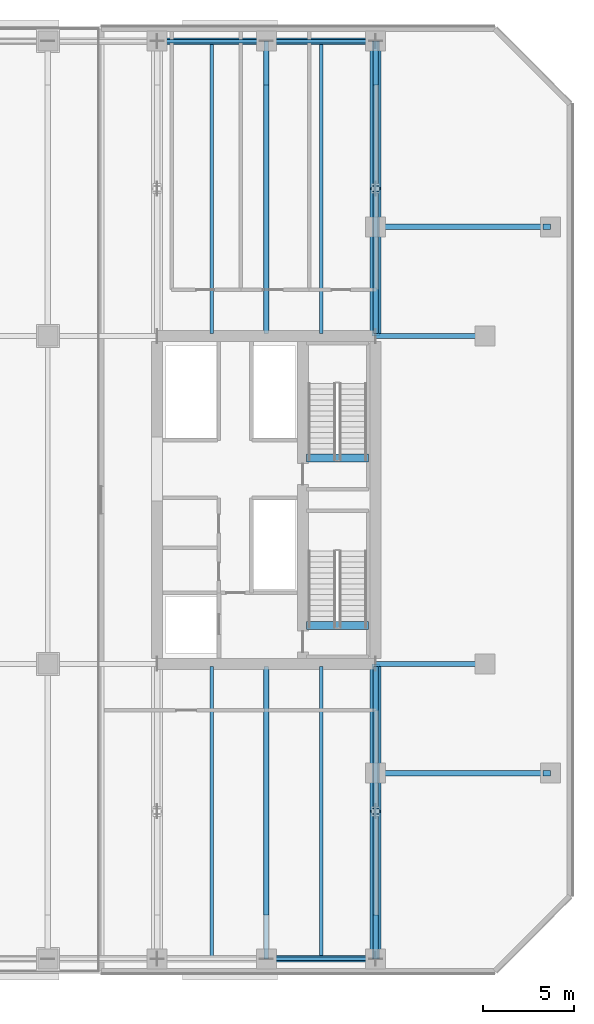
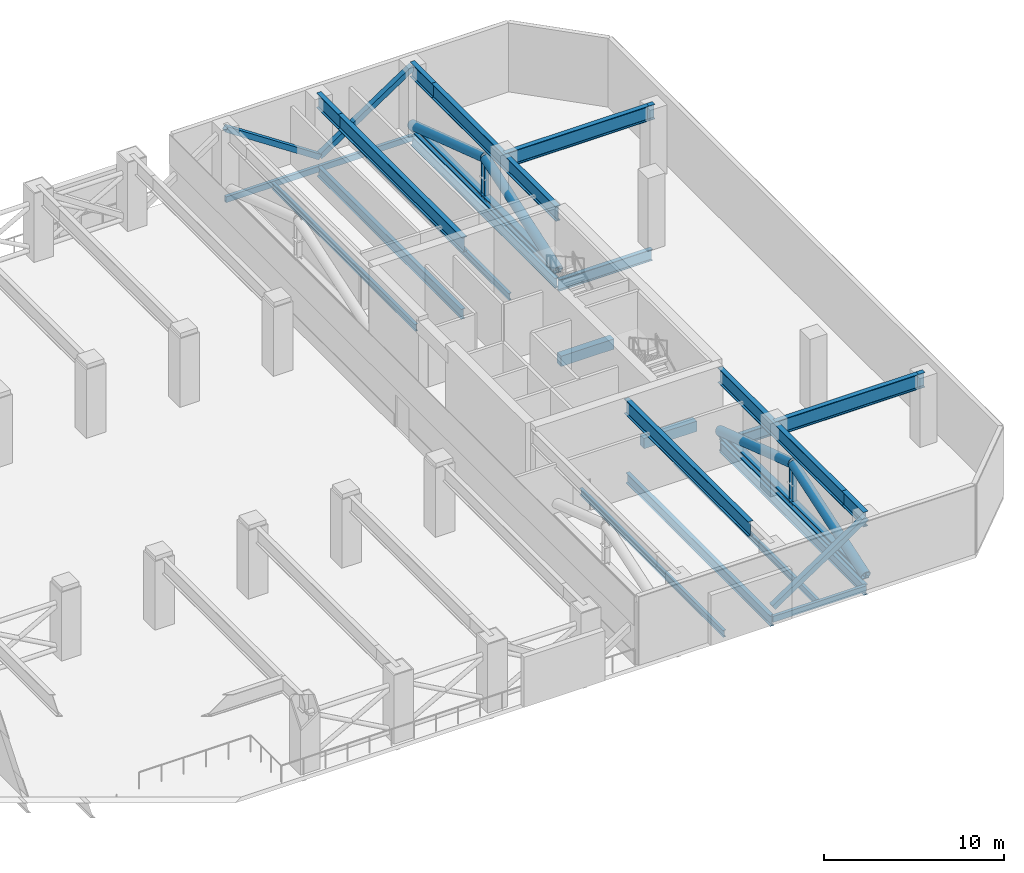
# One storey, part 6 of 22: 26 beams, 11 members.
"""IFC4 building model written with IfcOpenShell, lengths in metres."""

from ifc_helpers import new_model, si_unit, direction, frame, origin, origin_2d, place, context, subcontext, project, spatial, rectangle, hollow_rectangle, hollow_circle, i_section, extrude, material, material_profile, profile_set, type_object, element, save


model = new_model("IFC4")

# Units and contexts
model_context = context("Model", 3, precision=1e-05, world=origin(), true_north=direction((0.0, 1.0)))
body_context = subcontext(model_context, "Body", "Model", "MODEL_VIEW")
ifc_project = project(units=[si_unit("LENGTHUNIT", "METRE"), si_unit("AREAUNIT", "SQUARE_METRE"), si_unit("VOLUMEUNIT", "CUBIC_METRE"), si_unit("PLANEANGLEUNIT", "RADIAN"), si_unit("MASSUNIT", "GRAM", prefix="KILO")], contexts=[model_context])

# Site, building, storey
site_placement = place(None, origin())
site = spatial("IfcSite", under=ifc_project, at=site_placement, CompositionType="ELEMENT")
building_placement = place(site_placement, origin())
building = spatial("IfcBuilding", under=site, at=building_placement, Name="Tanjung Sevakor Pilgrim Tower", CompositionType="ELEMENT")
storey_placement = place(building_placement, frame((0.0, 0.0, 73.260009765625)))
storey = spatial("IfcBuildingStorey", under=building, at=storey_placement, Name="L20", CompositionType="ELEMENT", Elevation=73.260009765625)

# Beams
ifc_material_1 = material(Name="Steel S355J2", Category="steel")
ifc_material_profile_1 = material_profile(ifc_material_1, i_section(OverallWidth=0.26806640625, OverallDepth=0.769775390625, WebThickness=0.015625, FlangeThickness=0.025390625, FilletRadius=0.0166015625, at=origin_2d()))
ifc_profile_set_1 = profile_set([ifc_material_profile_1], Name="Steel S355J2")
beam_type_1 = type_object("IfcBeamType", Name="BM-B-G1-UB_762x267x197", PredefinedType="BEAM", material=ifc_profile_set_1)
for number, where, z_axis, x_axis, name in (
    (1, (90.0, 24.60009765625, -0.664794921875), (1.0, 0.0, 0.0), (0.0, 1.0, 0.0), "L20 Primary Floor Girder MAIN Y246-09"),
    (2, (90.0, 42.60009765625, -0.664794921875), (1.0, 0.0, 0.0), (0.0, 1.0, 0.0), "L20 Primary Floor Girder MAIN Y426-09"),
):
    element("IfcBeam", number, at=place(storey_placement, frame(where, z_axis=z_axis, x_axis=x_axis)), inside=storey, type_object=beam_type_1, Name=name, PredefinedType="BEAM", context=body_context, shape_type="SweptSolid", body=[
        extrude(i_section(OverallWidth=0.26806640625, OverallDepth=0.769775390625, WebThickness=0.015625, FlangeThickness=0.025390625, FilletRadius=0.0166015625, at=origin_2d()), origin(), (0.0, 0.0, 1.0), 6.0),
    ])
ifc_material_2 = material(Name="Steel S355J2", Category="steel")
ifc_material_profile_2 = material_profile(ifc_material_2, i_section(OverallWidth=0.25439453125, OverallDepth=0.6875, WebThickness=0.01318359375, FlangeThickness=0.02099609375, FilletRadius=0.01513671875, at=origin_2d()))
ifc_profile_set_2 = profile_set([ifc_material_profile_2], Name="Steel S355J2")
beam_type_2 = type_object("IfcBeamType", Name="BM-B-G2-UB_686x254x152", PredefinedType="BEAM", material=ifc_profile_set_2)
for number, where, z_axis, x_axis, name in (
    (3, (84.0, 8.39990234375, -0.623779296875), (0.0, 1.0, 0.0), (-1.0, 0.0, 0.0), "L20 MAIN Girder 041"),
    (4, (84.0, 42.73388671875, -0.623779296875), (0.0, 1.0, 0.0), (-1.0, 0.0, 0.0), "L20 MAIN Girder 042"),
    (5, (90.0, 8.39990234375, -0.623779296875), (0.0, 1.0, 0.0), (-1.0, 0.0, 0.0), "L20 MAIN Girder 045"),
    (6, (90.0, 42.73388671875, -0.623779296875), (0.0, 1.0, 0.0), (-1.0, 0.0, 0.0), "L20 MAIN Girder 046"),
):
    element("IfcBeam", number, at=place(storey_placement, frame(where, z_axis=z_axis, x_axis=x_axis)), inside=storey, type_object=beam_type_2, Name=name, PredefinedType="BEAM", context=body_context, shape_type="SweptSolid", body=[
        extrude(i_section(OverallWidth=0.25439453125, OverallDepth=0.6875, WebThickness=0.01318359375, FlangeThickness=0.02099609375, FilletRadius=0.01513671875, at=origin_2d()), origin(), (0.0, 0.0, 1.0), 16.066162109375),
    ])
ifc_material_3 = material(Name="Steel S460M", Category="steel")
ifc_material_profile_3 = material_profile(ifc_material_3, i_section(OverallWidth=0.302001953125, OverallDepth=1.008056640625, WebThickness=0.02099609375, FlangeThickness=0.0400390625, FilletRadius=0.030029296875, at=origin_2d()))
ifc_profile_set_3 = profile_set([ifc_material_profile_3], Name="Steel S460M")
beam_type_3 = type_object("IfcBeamType", Name="BM-B-G7-HE_1000M", PredefinedType="BEAM", material=ifc_profile_set_3)
beam_1_placement = place(storey_placement, frame((90.0, 18.60009765625, 4.166015625), z_axis=(1.0, 0.0, 0.0), x_axis=(0.0, 1.0, 0.0)))
element("IfcBeam", 7, at=beam_1_placement, inside=storey, type_object=beam_type_3, Name="L20 Short-End Setback Transfer Girder E Y18.6-1", PredefinedType="BEAM", context=body_context, shape_type="SweptSolid", body=[
    extrude(i_section(OverallWidth=0.302001953125, OverallDepth=1.008056640625, WebThickness=0.02099609375, FlangeThickness=0.0400390625, FilletRadius=0.030029296875, at=origin_2d()), origin(), (0.0, 0.0, 1.0), 9.199951171875),
])
beam_2_placement = place(storey_placement, frame((99.199951171875, 18.60009765625, 4.166015625), z_axis=(1.0, 0.0, 0.0), x_axis=(0.0, 1.0, 0.0)))
element("IfcBeam", 8, at=beam_2_placement, inside=storey, type_object=beam_type_3, Name="L20 Short-End Setback Transfer Girder E Y18.6-2", PredefinedType="BEAM", context=body_context, shape_type="SweptSolid", body=[
    extrude(i_section(OverallWidth=0.302001953125, OverallDepth=1.008056640625, WebThickness=0.02099609375, FlangeThickness=0.0400390625, FilletRadius=0.030029296875, at=origin_2d()), origin(), (0.0, 0.0, 1.0), 0.400146484375),
])
beam_3_placement = place(storey_placement, frame((90.0, 48.60009765625, 4.166015625), z_axis=(1.0, 0.0, 0.0), x_axis=(0.0, 1.0, 0.0)))
element("IfcBeam", 9, at=beam_3_placement, inside=storey, type_object=beam_type_3, Name="L20 Short-End Setback Transfer Girder E Y48.6-1", PredefinedType="BEAM", context=body_context, shape_type="SweptSolid", body=[
    extrude(i_section(OverallWidth=0.302001953125, OverallDepth=1.008056640625, WebThickness=0.02099609375, FlangeThickness=0.0400390625, FilletRadius=0.030029296875, at=origin_2d()), origin(), (0.0, 0.0, 1.0), 9.199951171875),
])
beam_4_placement = place(storey_placement, frame((99.199951171875, 48.60009765625, 4.166015625), z_axis=(1.0, 0.0, 0.0), x_axis=(0.0, 1.0, 0.0)))
element("IfcBeam", 10, at=beam_4_placement, inside=storey, type_object=beam_type_3, Name="L20 Short-End Setback Transfer Girder E Y48.6-2", PredefinedType="BEAM", context=body_context, shape_type="SweptSolid", body=[
    extrude(i_section(OverallWidth=0.302001953125, OverallDepth=1.008056640625, WebThickness=0.02099609375, FlangeThickness=0.0400390625, FilletRadius=0.030029296875, at=origin_2d()), origin(), (0.0, 0.0, 1.0), 0.400146484375),
])
beam_5_placement = place(storey_placement, frame((84.0, 10.800048828125, 4.166015625), z_axis=(0.0, 1.0, 0.0), x_axis=(-1.0, 0.0, 0.0)))
element("IfcBeam", 11, at=beam_5_placement, inside=storey, type_object=beam_type_3, Name="L20 Setback Transfer Girder South X84-2", PredefinedType="BEAM", context=body_context, shape_type="SweptSolid", body=[
    extrude(i_section(OverallWidth=0.302001953125, OverallDepth=1.008056640625, WebThickness=0.02099609375, FlangeThickness=0.0400390625, FilletRadius=0.030029296875, at=origin_2d()), origin(), (0.0, 0.0, 1.0), 13.800048828125),
])
beam_6_placement = place(storey_placement, frame((84.0, 42.60009765625, 4.166015625), z_axis=(0.0, 1.0, 0.0), x_axis=(-1.0, 0.0, 0.0)))
element("IfcBeam", 12, at=beam_6_placement, inside=storey, type_object=beam_type_3, Name="L20 Setback Transfer Girder North X84-1", PredefinedType="BEAM", context=body_context, shape_type="SweptSolid", body=[
    extrude(i_section(OverallWidth=0.302001953125, OverallDepth=1.008056640625, WebThickness=0.02099609375, FlangeThickness=0.0400390625, FilletRadius=0.030029296875, at=origin_2d()), origin(), (0.0, 0.0, 1.0), 13.7998046875),
])
for number, where, z_axis, x_axis, name in (
    (13, (84.0, 56.39990234375, 4.166015625), (0.0, 1.0, 0.0), (-1.0, 0.0, 0.0), "L20 Setback Transfer Girder North X84-2"),
    (14, (90.0, 8.39990234375, 4.166015625), (0.0, 1.0, 0.0), (-1.0, 0.0, 0.0), "L20 Setback Transfer Girder South X90-1"),
):
    element("IfcBeam", number, at=place(storey_placement, frame(where, z_axis=z_axis, x_axis=x_axis)), inside=storey, type_object=beam_type_3, Name=name, PredefinedType="BEAM", context=body_context, shape_type="SweptSolid", body=[
        extrude(i_section(OverallWidth=0.302001953125, OverallDepth=1.008056640625, WebThickness=0.02099609375, FlangeThickness=0.0400390625, FilletRadius=0.030029296875, at=origin_2d()), origin(), (0.0, 0.0, 1.0), 2.400146484375),
    ])
beam_7_placement = place(storey_placement, frame((90.0, 10.800048828125, 4.166015625), z_axis=(0.0, 1.0, 0.0), x_axis=(-1.0, 0.0, 0.0)))
element("IfcBeam", 15, at=beam_7_placement, inside=storey, type_object=beam_type_3, Name="L20 Setback Transfer Girder South X90-2", PredefinedType="BEAM", context=body_context, shape_type="SweptSolid", body=[
    extrude(i_section(OverallWidth=0.302001953125, OverallDepth=1.008056640625, WebThickness=0.02099609375, FlangeThickness=0.0400390625, FilletRadius=0.030029296875, at=origin_2d()), origin(), (0.0, 0.0, 1.0), 13.800048828125),
])
beam_8_placement = place(storey_placement, frame((90.0, 42.60009765625, 4.166015625), z_axis=(0.0, 1.0, 0.0), x_axis=(-1.0, 0.0, 0.0)))
element("IfcBeam", 16, at=beam_8_placement, inside=storey, type_object=beam_type_3, Name="L20 Setback Transfer Girder North X90-1", PredefinedType="BEAM", context=body_context, shape_type="SweptSolid", body=[
    extrude(i_section(OverallWidth=0.302001953125, OverallDepth=1.008056640625, WebThickness=0.02099609375, FlangeThickness=0.0400390625, FilletRadius=0.030029296875, at=origin_2d()), origin(), (0.0, 0.0, 1.0), 13.7998046875),
])
beam_9_placement = place(storey_placement, frame((90.0, 56.39990234375, 4.166015625), z_axis=(0.0, 1.0, 0.0), x_axis=(-1.0, 0.0, 0.0)))
element("IfcBeam", 17, at=beam_9_placement, inside=storey, type_object=beam_type_3, Name="L20 Setback Transfer Girder North X90-2", PredefinedType="BEAM", context=body_context, shape_type="SweptSolid", body=[
    extrude(i_section(OverallWidth=0.302001953125, OverallDepth=1.008056640625, WebThickness=0.02099609375, FlangeThickness=0.0400390625, FilletRadius=0.030029296875, at=origin_2d()), origin(), (0.0, 0.0, 1.0), 2.400146484375),
])
ifc_material_4 = material(Name="Steel S355J2", Category="steel")
ifc_material_profile_4 = material_profile(ifc_material_4, i_section(OverallWidth=0.19140625, OverallDepth=0.4599609375, WebThickness=0.010009765625, FlangeThickness=0.01611328125, FilletRadius=0.01025390625, at=origin_2d()))
ifc_profile_set_4 = profile_set([ifc_material_profile_4], Name="Steel S355J2")
beam_type_4 = type_object("IfcBeamType", Name="BM-B-J2-UB_457x191x82", PredefinedType="JOIST", material=ifc_profile_set_4)
for number, where, z_axis, x_axis, name in (
    (18, (81.0, 8.5, -0.510009765625), (0.0, 1.0, 0.0), (-1.0, 0.0, 0.0), "L20 MAIN Joist 039"),
    (19, (81.0, 42.73388671875, -0.510009765625), (0.0, 1.0, 0.0), (-1.0, 0.0, 0.0), "L20 MAIN Joist 040"),
    (20, (87.0, 8.5, -0.510009765625), (0.0, 1.0, 0.0), (-1.0, 0.0, 0.0), "L20 MAIN Joist 043"),
    (21, (87.0, 42.73388671875, -0.510009765625), (0.0, 1.0, 0.0), (-1.0, 0.0, 0.0), "L20 MAIN Joist 044"),
):
    element("IfcBeam", number, at=place(storey_placement, frame(where, z_axis=z_axis, x_axis=x_axis)), inside=storey, type_object=beam_type_4, Name=name, PredefinedType="JOIST", context=body_context, shape_type="SweptSolid", body=[
        extrude(i_section(OverallWidth=0.19140625, OverallDepth=0.4599609375, WebThickness=0.010009765625, FlangeThickness=0.01611328125, FilletRadius=0.01025390625, at=origin_2d()), origin(), (0.0, 0.0, 1.0), 15.966064453125),
    ])
ifc_material_5 = material(Name="Concrete C60/75", Category="concrete")
ifc_material_profile_5 = material_profile(ifc_material_5, rectangle(XDim=0.449951171875, YDim=0.699951171875, at=origin_2d()))
ifc_profile_set_5 = profile_set([ifc_material_profile_5], Name="Concrete C60/75")
beam_type_5 = type_object("IfcBeamType", Name="BM-B-LN3-RC-BM_450x700", PredefinedType="LINTEL", material=ifc_profile_set_5)
for number, where, z_axis, x_axis, name in (
    (22, (86.199951171875, 26.699951171875, -0.35009765625), (1.0, 0.0, 0.0), (0.0, 1.0, 0.0), "L20 TS-E1 Stair Threshold Beam"),
    (23, (86.199951171875, 35.89990234375, -0.35009765625), (1.0, 0.0, 0.0), (0.0, 1.0, 0.0), "L20 TS-E2 Stair Threshold Beam"),
):
    element("IfcBeam", number, at=place(storey_placement, frame(where, z_axis=z_axis, x_axis=x_axis)), inside=storey, type_object=beam_type_5, Name=name, PredefinedType="LINTEL", context=body_context, shape_type="SweptSolid", body=[
        extrude(rectangle(XDim=0.449951171875, YDim=0.699951171875, at=origin_2d()), origin(), (0.0, 0.0, 1.0), 3.400146484375),
    ])
ifc_material_6 = material(Name="Steel S355J2", Category="steel")
ifc_material_profile_6 = material_profile(ifc_material_6, hollow_rectangle(XDim=0.199951171875, YDim=0.39990234375, WallThickness=0.01611328125, at=origin_2d()))
ifc_profile_set_6 = profile_set([ifc_material_profile_6], Name="Steel S355J2")
beam_type_6 = type_object("IfcBeamType", Name="BM-B-SP2-RHS_400x200x16", PredefinedType="SPANDREL", material=ifc_profile_set_6)
for number, where, z_axis, x_axis, name in (
    (24, (78.0, 58.800048828125, -0.47998046875), (1.0, 0.0, 0.0), (0.0, 1.0, 0.0), "L20 Spandrel MAIN N-16"),
    (25, (84.0, 8.39990234375, -0.47998046875), (1.0, 0.0, 0.0), (0.0, 1.0, 0.0), "L20 Spandrel MAIN S-17"),
    (26, (84.0, 58.800048828125, -0.47998046875), (1.0, 0.0, 0.0), (0.0, 1.0, 0.0), "L20 Spandrel MAIN N-18"),
):
    element("IfcBeam", number, at=place(storey_placement, frame(where, z_axis=z_axis, x_axis=x_axis)), inside=storey, type_object=beam_type_6, Name=name, PredefinedType="SPANDREL", context=body_context, shape_type="SweptSolid", body=[
        extrude(hollow_rectangle(XDim=0.199951171875, YDim=0.39990234375, WallThickness=0.01611328125, at=origin_2d()), origin(), (0.0, 0.0, 1.0), 6.0),
    ])

# Members
ifc_material_7 = material(Name="Steel S460M", Category="steel")
ifc_material_profile_7 = material_profile(ifc_material_7, hollow_circle(Radius=0.304931640625, WallThickness=0.030029296875, at=origin_2d()))
ifc_profile_set_7 = profile_set([ifc_material_profile_7], Name="Steel S460M")
member_type_1 = type_object("IfcMemberType", Name="MEM-M-BR2-CHS_610x30", PredefinedType="BRACE", material=ifc_profile_set_7)
for number, where, z_axis, x_axis, name in (
    (27, (90.0, 8.39990234375, 0.35009765625), (0.0, 0.949037396078, 0.315163482729), (-1.0, 0.0, 0.0), "OT-2 L20 Outrigger Truss Diagonal 1 X90 S"),
    (28, (90.0, 16.5, 3.0400390625), (0.0, 0.949037396078, -0.315163482729), (-1.0, 0.0, 0.0), "OT-2 L20 Outrigger Truss Diagonal 2 X90 S"),
):
    element("IfcMember", number, at=place(storey_placement, frame(where, z_axis=z_axis, x_axis=x_axis)), inside=storey, type_object=member_type_1, Name=name, PredefinedType="BRACE", context=body_context, shape_type="SweptSolid", body=[
        extrude(hollow_circle(Radius=0.304931640625, WallThickness=0.030029296875, at=origin_2d()), origin(), (0.0, 0.0, 1.0), 8.53515625),
    ])
member_1_placement = place(storey_placement, frame((90.0, 42.60009765625, 0.35009765625), z_axis=(0.0, 0.949034554742, 0.315172038585), x_axis=(-1.0, 0.0, 0.0)))
element("IfcMember", 29, at=member_1_placement, inside=storey, type_object=member_type_1, Name="OT-2 L20 Outrigger Truss Diagonal 1 X90 N", PredefinedType="BRACE", context=body_context, shape_type="SweptSolid", body=[
    extrude(hollow_circle(Radius=0.304931640625, WallThickness=0.030029296875, at=origin_2d()), origin(), (0.0, 0.0, 1.0), 8.534912109375),
])
member_2_placement = place(storey_placement, frame((90.0, 50.699951171875, 3.0400390625), z_axis=(0.0, 0.949037396078, -0.315163482729), x_axis=(-1.0, 0.0, 0.0)))
element("IfcMember", 30, at=member_2_placement, inside=storey, type_object=member_type_1, Name="OT-2 L20 Outrigger Truss Diagonal 2 X90 N", PredefinedType="BRACE", context=body_context, shape_type="SweptSolid", body=[
    extrude(hollow_circle(Radius=0.304931640625, WallThickness=0.030029296875, at=origin_2d()), origin(), (0.0, 0.0, 1.0), 8.53515625),
])
ifc_material_8 = material(Name="Steel S460M", Category="steel")
ifc_material_profile_8 = material_profile(ifc_material_8, hollow_rectangle(XDim=0.35009765625, YDim=0.35009765625, WallThickness=0.01611328125, at=origin_2d()))
ifc_profile_set_8 = profile_set([ifc_material_profile_8], Name="Steel S460M")
member_type_2 = type_object("IfcMemberType", Name="MEM-M-BR7-SHS_350x350x16", PredefinedType="BRACE", material=ifc_profile_set_8)
for number, where, z_axis, x_axis, name in (
    (31, (84.0, 8.39990234375, 0.35009765625), (0.832956473164, 0.0, 0.553338516474), (0.0, 1.0, 0.0), "BT-1 L20 Belt Truss Diagonal Brace S-07"),
    (32, (78.0, 58.800048828125, 4.3359375), (0.832956473164, 0.0, -0.553338516474), (0.0, 1.0, 0.0), "BT-1 L20 Belt Truss Diagonal Brace N-06"),
    (33, (84.0, 58.800048828125, 0.35009765625), (0.832956473164, 0.0, 0.553338516474), (0.0, 1.0, 0.0), "BT-1 L20 Belt Truss Diagonal Brace N-07"),
):
    element("IfcMember", number, at=place(storey_placement, frame(where, z_axis=z_axis, x_axis=x_axis)), inside=storey, type_object=member_type_2, Name=name, PredefinedType="BRACE", context=body_context, shape_type="SweptSolid", body=[
        extrude(hollow_rectangle(XDim=0.35009765625, YDim=0.35009765625, WallThickness=0.01611328125, at=origin_2d()), origin(), (0.0, 0.0, 1.0), 7.203369140625),
    ])
ifc_material_9 = material(Name="Steel S460M", Category="steel")
ifc_material_profile_9 = material_profile(ifc_material_9, i_section(OverallWidth=0.41845703125, OverallDepth=0.45556640625, WebThickness=0.0419921875, FlangeThickness=0.0673828125, FilletRadius=0.01513671875, at=origin_2d()))
ifc_profile_set_9 = profile_set([ifc_material_profile_9], Name="Steel S460M")
member_type_3 = type_object("IfcMemberType", Name="MEM-M-CH2-UC_356x406x551", PredefinedType="CHORD", material=ifc_profile_set_9)
member_3_placement = place(storey_placement, frame((90.0, 8.39990234375, 0.35009765625), z_axis=(0.0, 1.0, 0.0), x_axis=(-1.0, 0.0, 0.0)))
element("IfcMember", 34, at=member_3_placement, inside=storey, type_object=member_type_3, Name="OT-1 L20 Outrigger Truss Chord X90 S", PredefinedType="CHORD", context=body_context, shape_type="SweptSolid", body=[
    extrude(i_section(OverallWidth=0.41845703125, OverallDepth=0.45556640625, WebThickness=0.0419921875, FlangeThickness=0.0673828125, FilletRadius=0.01513671875, at=origin_2d()), origin(), (0.0, 0.0, 1.0), 16.2001953125),
])
member_4_placement = place(storey_placement, frame((90.0, 42.60009765625, 0.35009765625), z_axis=(0.0, 1.0, 0.0), x_axis=(-1.0, 0.0, 0.0)))
element("IfcMember", 35, at=member_4_placement, inside=storey, type_object=member_type_3, Name="OT-1 L20 Outrigger Truss Chord X90 N", PredefinedType="CHORD", context=body_context, shape_type="SweptSolid", body=[
    extrude(i_section(OverallWidth=0.41845703125, OverallDepth=0.45556640625, WebThickness=0.0419921875, FlangeThickness=0.0673828125, FilletRadius=0.01513671875, at=origin_2d()), origin(), (0.0, 0.0, 1.0), 16.199951171875),
])
ifc_material_10 = material(Name="Steel S460M", Category="steel")
ifc_material_profile_10 = material_profile(ifc_material_10, i_section(OverallWidth=0.314453125, OverallDepth=0.33984375, WebThickness=0.01904296875, FlangeThickness=0.031494140625, FilletRadius=0.01513671875, at=origin_2d()))
ifc_profile_set_10 = profile_set([ifc_material_profile_10], Name="Steel S460M")
member_type_4 = type_object("IfcMemberType", Name="MEM-M-ST2-UC_305x305x198", PredefinedType="STRUT", material=ifc_profile_set_10)
for number, where, z_axis, x_axis, name in (
    (36, (90.0, 16.5, 0.35009765625), (0.0, 0.0, 1.0), (1.0, 0.0, 0.0), "OT-3 L20 Outrigger Truss Strut X90 S"),
    (37, (90.0, 50.699951171875, 0.35009765625), (0.0, 0.0, 1.0), (1.0, 0.0, 0.0), "OT-3 L20 Outrigger Truss Strut X90 N"),
):
    element("IfcMember", number, at=place(storey_placement, frame(where, z_axis=z_axis, x_axis=x_axis)), inside=storey, type_object=member_type_4, Name=name, PredefinedType="STRUT", context=body_context, shape_type="SweptSolid", body=[
        extrude(i_section(OverallWidth=0.314453125, OverallDepth=0.33984375, WebThickness=0.01904296875, FlangeThickness=0.031494140625, FilletRadius=0.01513671875, at=origin_2d()), origin(), (0.0, 0.0, 1.0), 2.68994140625),
    ])

save(model, "model.ifc")
